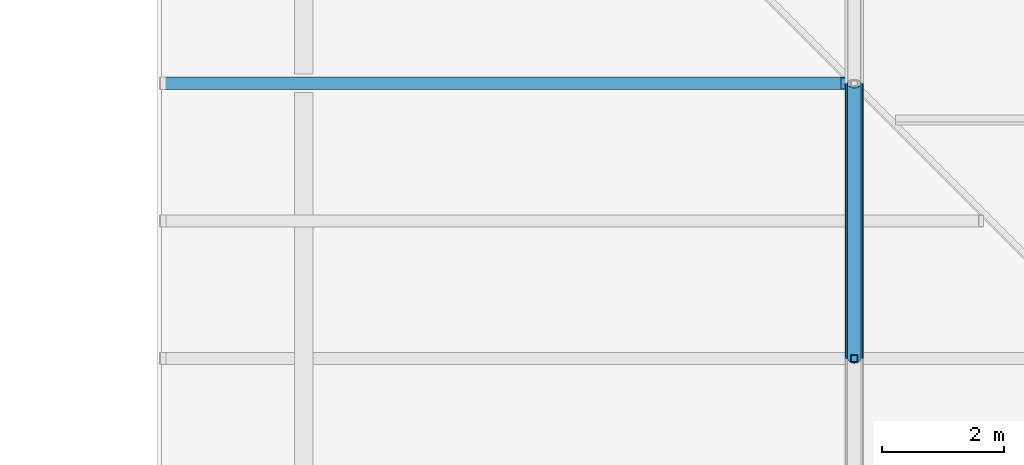
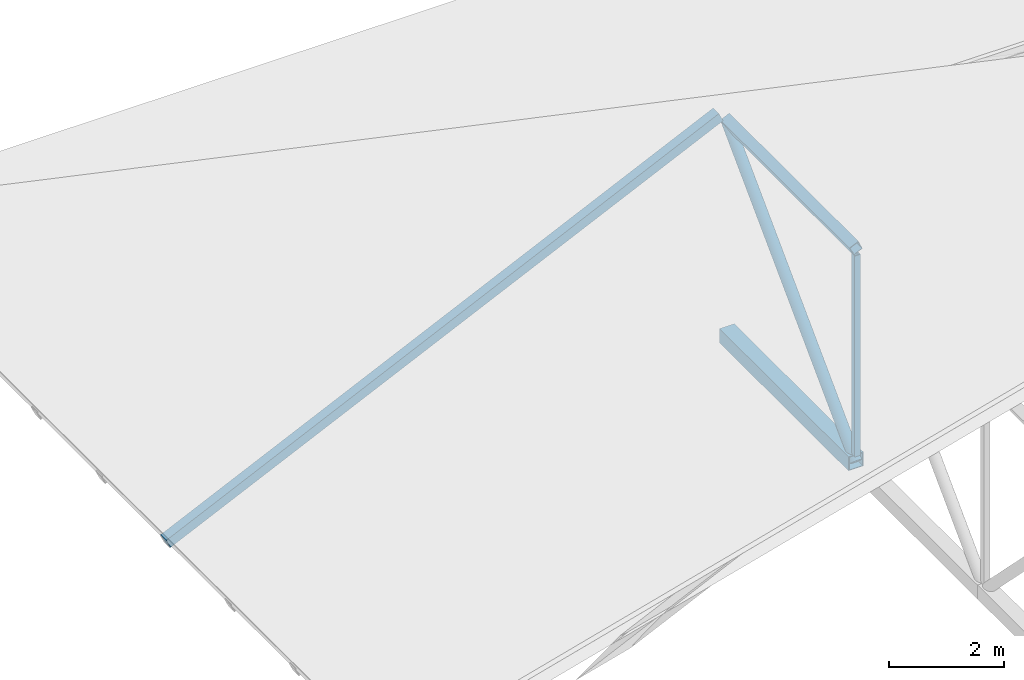
# One storey, part 54 of 154: 5 members.
"""IFC4 building model written with IfcOpenShell, lengths in metres."""

from ifc_helpers import new_model, si_unit, direction, frame, origin, origin_2d, place, context, subcontext, project, spatial, hollow_rectangle, hollow_circle, extrude, material, material_profile, profile_set, type_object, element, save


model = new_model("IFC4")

# Units and contexts
model_context = context("Model", 3, precision=1e-05, world=origin(), true_north=direction((0.0, 1.0)))
body_context = subcontext(model_context, "Body", "Model", "MODEL_VIEW")
ifc_project = project(units=[si_unit("LENGTHUNIT", "METRE"), si_unit("AREAUNIT", "SQUARE_METRE"), si_unit("VOLUMEUNIT", "CUBIC_METRE"), si_unit("PLANEANGLEUNIT", "RADIAN"), si_unit("MASSUNIT", "GRAM", prefix="KILO")], contexts=[model_context])

# Site, building, storey
site_placement = place(None, origin())
site = spatial("IfcSite", under=ifc_project, at=site_placement, CompositionType="ELEMENT")
building_placement = place(site_placement, origin())
building = spatial("IfcBuilding", under=site, at=building_placement, Name="Golden Quay Civic Hall", CompositionType="ELEMENT")
storey_placement = place(building_placement, frame((0.0, 0.0, 14.39990234375)))
storey = spatial("IfcBuildingStorey", under=building, at=storey_placement, Name="L03", CompositionType="ELEMENT", Elevation=14.39990234375)

# Members
ifc_material_1 = material(Name="Steel S355", Category="steel")
ifc_material_profile_1 = material_profile(ifc_material_1, hollow_rectangle(XDim=0.199951171875, YDim=0.199951171875, WallThickness=0.010009765625, at=origin_2d()), Name="SHS 200x200x10")
ifc_profile_set_1 = profile_set([ifc_material_profile_1], Name="Steel S355")
member_type_1 = type_object("IfcMemberType", Name="Steel jack rafter SHS 200x200x10", PredefinedType="RAFTER", material=ifc_profile_set_1)
member_1_placement = place(storey_placement, frame((114.699951171875, 90.0, -0.56787109375), z_axis=(0.9063131757, 0.0, 0.422606705523), x_axis=(0.0, 1.0, 0.0)))
element("IfcMember", 1, at=member_1_placement, inside=storey, type_object=member_type_1, Name="Jack rafter west 12 L03", PredefinedType="RAFTER", context=body_context, shape_type="SweptSolid", body=[
    extrude(hollow_rectangle(XDim=0.199951171875, YDim=0.199951171875, WallThickness=0.010009765625, at=origin_2d()), origin(), (0.0, 0.0, 1.0), 12.27490234375),
])
ifc_material_2 = material(Name="Steel S355", Category="steel")
ifc_material_profile_2 = material_profile(ifc_material_2, hollow_rectangle(XDim=0.300048828125, YDim=0.300048828125, WallThickness=0.01611328125, at=origin_2d()), Name="SHS 300x300x16")
ifc_profile_set_2 = profile_set([ifc_material_profile_2], Name="Steel S355")
member_type_2 = type_object("IfcMemberType", Name="Steel truss bottom chord SHS 300x300x16", PredefinedType="USERDEFINED", material=ifc_profile_set_2)
member_2_placement = place(storey_placement, frame((126.0, 85.5, -0.099853515625), z_axis=(0.0, 1.0, 0.0), x_axis=(-1.0, 0.0, 0.0)))
element("IfcMember", 2, at=member_2_placement, inside=storey, type_object=member_type_2, Name="Truss 126 bottom chord 6 L03", ObjectType="TRUSS BOTTOM CHORD", PredefinedType="USERDEFINED", context=body_context, shape_type="SweptSolid", body=[
    extrude(hollow_rectangle(XDim=0.300048828125, YDim=0.300048828125, WallThickness=0.01611328125, at=origin_2d()), origin(), (0.0, 0.0, 1.0), 4.5),
])
ifc_material_3 = material(Name="Steel S355", Category="steel")
ifc_material_profile_3 = material_profile(ifc_material_3, hollow_circle(Radius=0.109619140625, WallThickness=0.010009765625, at=origin_2d()), Name="CHS 219.1x10")
ifc_profile_set_3 = profile_set([ifc_material_profile_3], Name="Steel S355")
member_type_3 = type_object("IfcMemberType", Name="Steel truss diagonal CHS 219.1x10", PredefinedType="BRACE", material=ifc_profile_set_3)
member_3_placement = place(storey_placement, frame((126.0, 85.5, -0.099853515625), z_axis=(0.0, 0.704254536807, 0.709947566646), x_axis=(-1.0, 0.0, 0.0)))
element("IfcMember", 3, at=member_3_placement, inside=storey, type_object=member_type_3, Name="Truss 126 diagonal 6 L03", PredefinedType="BRACE", context=body_context, shape_type="SweptSolid", body=[
    extrude(hollow_circle(Radius=0.109619140625, WallThickness=0.010009765625, at=origin_2d()), origin(), (0.0, 0.0, 1.0), 6.3896484375),
])
ifc_material_4 = material(Name="Steel S355", Category="steel")
ifc_material_profile_4 = material_profile(ifc_material_4, hollow_rectangle(XDim=0.1201171875, YDim=0.1201171875, WallThickness=0.008056640625, at=origin_2d()), Name="SHS 120x120x8")
ifc_profile_set_4 = profile_set([ifc_material_profile_4], Name="Steel S355")
member_type_4 = type_object("IfcMemberType", Name="Steel truss post SHS 120x120x8", PredefinedType="USERDEFINED", material=ifc_profile_set_4)
member_4_placement = place(storey_placement, frame((126.0, 85.5, 0.050048828125), z_axis=(0.0, 0.0, 1.0), x_axis=(1.0, 0.0, 0.0)))
element("IfcMember", 4, at=member_4_placement, inside=storey, type_object=member_type_4, Name="Truss 126 post 6 L03", ObjectType="TRUSS POST", PredefinedType="USERDEFINED", context=body_context, shape_type="SweptSolid", body=[
    extrude(hollow_rectangle(XDim=0.1201171875, YDim=0.1201171875, WallThickness=0.008056640625, at=origin_2d()), origin(), (0.0, 0.0, 1.0), 4.276123046875),
])
ifc_material_5 = material(Name="Steel S355", Category="steel")
ifc_material_profile_5 = material_profile(ifc_material_5, hollow_rectangle(XDim=0.199951171875, YDim=0.199951171875, WallThickness=0.010009765625, at=origin_2d()), Name="SHS 200x200x10")
ifc_profile_set_5 = profile_set([ifc_material_profile_5], Name="Steel S355")
member_type_5 = type_object("IfcMemberType", Name="Steel truss top chord SHS 200x200x10", PredefinedType="USERDEFINED", material=ifc_profile_set_5)
member_5_placement = place(storey_placement, frame((126.0, 85.5, 4.4365234375), z_axis=(0.0, 1.0, 0.0), x_axis=(-0.906307787037, 0.0, -0.422618261741)))
element("IfcMember", 5, at=member_5_placement, inside=storey, type_object=member_type_5, Name="Truss 126 top chord 7 L03", ObjectType="TRUSS TOP CHORD", PredefinedType="USERDEFINED", context=body_context, shape_type="SweptSolid", body=[
    extrude(hollow_rectangle(XDim=0.199951171875, YDim=0.199951171875, WallThickness=0.010009765625, at=origin_2d()), origin(), (0.0, 0.0, 1.0), 4.5),
])

save(model, "model.ifc")
